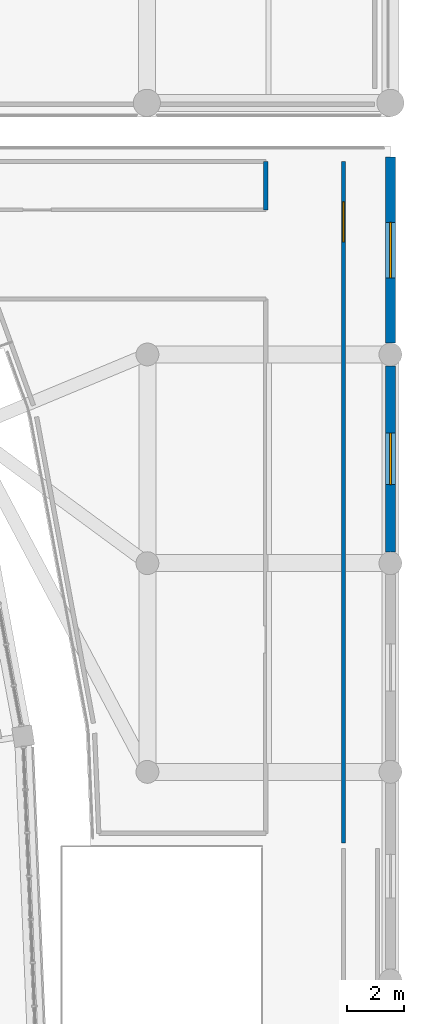
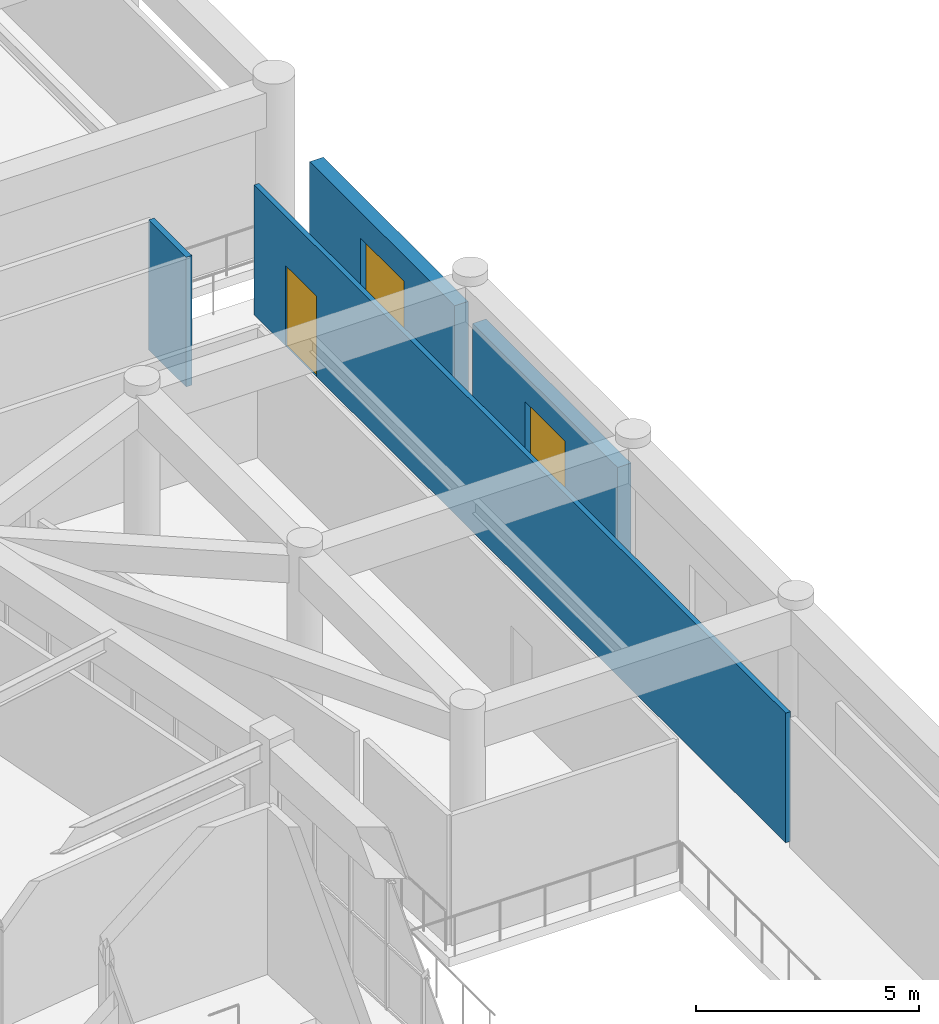
# One storey, part 101 of 137: 4 walls, 2 windows, 1 door, 3 openings.
"""IFC4 building model written with IfcOpenShell, lengths in metres."""

from ifc_helpers import new_model, si_unit, direction, frame, frame_2d, origin, place, context, subcontext, project, spatial, rectangle, extrude, material, layer, layer_set, type_object, element, fill, save


model = new_model("IFC4")

# Units and contexts
model_context = context("Model", 3, precision=1e-05, world=origin(), true_north=direction((0.0, 1.0)))
body_context = subcontext(model_context, "Body", "Model", "MODEL_VIEW")
ifc_project = project(units=[si_unit("LENGTHUNIT", "METRE"), si_unit("AREAUNIT", "SQUARE_METRE"), si_unit("VOLUMEUNIT", "CUBIC_METRE"), si_unit("PLANEANGLEUNIT", "RADIAN"), si_unit("MASSUNIT", "GRAM", prefix="KILO")], contexts=[model_context])

# Site, building, storey
site_placement = place(None, origin())
site = spatial("IfcSite", under=ifc_project, at=site_placement, CompositionType="ELEMENT")
building_placement = place(site_placement, origin())
building = spatial("IfcBuilding", under=site, at=building_placement, Name="Mphavela Belvedere Stadium", CompositionType="ELEMENT")
storey_placement = place(building_placement, frame((0.0, 0.0, 19.199951171875)))
storey = spatial("IfcBuildingStorey", under=building, at=storey_placement, Name="L04", CompositionType="ELEMENT", Elevation=19.199951171875)

# Wall, opening, window
ifc_material_1 = material(Name="Honed ashlar limestone masonry", Category="masonry")
ifc_layer_1 = layer(ifc_material_1, 0.35009765625)
ifc_layer_set_1 = layer_set([ifc_layer_1], Name="Honed ashlar limestone masonry")
wall_type_1 = type_object("IfcWallType", Name="WAL-EXT-ASHLAR-350", PredefinedType="STANDARD", material=ifc_layer_set_1)
wall_1_placement = place(storey_placement, frame((230.0, 115.802001953125, 0.0), z_axis=(0.0, 0.0, 1.0), x_axis=(0.0, -1.0, 0.0)))
wall_1 = element("IfcWall", 1, at=wall_1_placement, inside=storey, type_object=wall_type_1, Name="East Planted Eaves Peristyle Colonnade outer facade bay L04-09", PredefinedType="STANDARD", context=body_context, shape_type="SweptSolid", body=[
    extrude(rectangle(XDim=6.50390625, YDim=0.35009765625, at=frame_2d((3.251953125, 0.0))), origin(), (0.0, 0.0, 1.0), 3.56005859375),
])
opening_1_placement = place(wall_1_placement, frame((2.35205078125, 0.0, 0.89990234375)))
opening_1 = element("IfcOpeningElement", 2, at=opening_1_placement, cuts=wall_1, Name="Opening W-336", PredefinedType="OPENING", context=body_context, shape_type="SweptSolid", body=[
    extrude(rectangle(XDim=1.800048828125, YDim=1.949951171875, at=frame_2d((0.89990234375, 0.97509765625))), frame((0.0, 0.18505859375, 0.0), z_axis=(0.0, -1.0, 0.0), x_axis=(1.0, 0.0, 0.0)), (0.0, 0.0, 1.0), 0.3701171875),
])
ifc_material_2 = material(Name="Bronze-anodised thermally broken aluminium window", Category="aluminium")
window_type_1 = type_object("IfcWindowType", Name="WIN-EXT-28", PartitioningType="SINGLE_PANEL", PredefinedType="WINDOW", material=ifc_material_2)
window_1_placement = place(opening_1_placement, origin())
window_1 = element("IfcWindow", 3, at=window_1_placement, inside=storey, type_object=window_type_1, Name="East Planted Eaves Peristyle Colonnade classical window W-336", OverallHeight=1.949951171875, OverallWidth=1.800048828125, PartitioningType="SINGLE_PANEL", PredefinedType="WINDOW", context=body_context, shape_type="SweptSolid", body=[
    extrude(rectangle(XDim=1.800048828125, YDim=1.949951171875, at=frame_2d((0.89990234375, 0.97509765625))), frame((0.0, 0.030029296875, 0.0), z_axis=(0.0, -1.0, 0.0), x_axis=(1.0, 0.0, 0.0)), (0.0, 0.0, 1.0), 0.06005859375),
])
fill(opening_1, window_1)

wall_2_placement = place(storey_placement, frame((230.0, 123.10205078125, 0.0), z_axis=(0.0, 0.0, 1.0), x_axis=(0.0, -1.0, 0.0)))
wall_2 = element("IfcWall", 4, at=wall_2_placement, inside=storey, type_object=wall_type_1, Name="East Planted Eaves Peristyle Colonnade outer facade bay L04-10", PredefinedType="STANDARD", context=body_context, shape_type="SweptSolid", body=[
    extrude(rectangle(XDim=6.504150390625, YDim=0.35009765625, at=frame_2d((3.251953125, 0.0))), origin(), (0.0, 0.0, 1.0), 3.56005859375),
])
opening_2_placement = place(wall_2_placement, frame((2.281982421875, 0.0, 0.89990234375)))
opening_2 = element("IfcOpeningElement", 5, at=opening_2_placement, cuts=wall_2, Name="Opening W-337", PredefinedType="OPENING", context=body_context, shape_type="SweptSolid", body=[
    extrude(rectangle(XDim=1.93994140625, YDim=1.949951171875, at=frame_2d((0.969970703125, 0.97509765625))), frame((0.0, 0.18505859375, 0.0), z_axis=(0.0, -1.0, 0.0), x_axis=(1.0, 0.0, 0.0)), (0.0, 0.0, 1.0), 0.3701171875),
])
ifc_material_3 = material(Name="Bronze-anodised thermally broken aluminium window", Category="aluminium")
window_type_2 = type_object("IfcWindowType", Name="WIN-EXT-29", PartitioningType="SINGLE_PANEL", PredefinedType="WINDOW", material=ifc_material_3)
window_2_placement = place(opening_2_placement, origin())
window_2 = element("IfcWindow", 6, at=window_2_placement, inside=storey, type_object=window_type_2, Name="East Planted Eaves Peristyle Colonnade classical window W-337", OverallHeight=1.949951171875, OverallWidth=1.93994140625, PartitioningType="SINGLE_PANEL", PredefinedType="WINDOW", context=body_context, shape_type="SweptSolid", body=[
    extrude(rectangle(XDim=1.93994140625, YDim=1.949951171875, at=frame_2d((0.969970703125, 0.97509765625))), frame((0.0, 0.030029296875, 0.0), z_axis=(0.0, -1.0, 0.0), x_axis=(1.0, 0.0, 0.0)), (0.0, 0.0, 1.0), 0.06005859375),
])
fill(opening_2, window_2)

# Wall, opening, door
ifc_material_4 = material(Name="Moisture-resistant sanitary partition assembly")
ifc_layer_2 = layer(ifc_material_4, 0.125)
ifc_layer_set_2 = layer_set([ifc_layer_2], Name="Moisture-resistant sanitary partition assembly")
wall_type_2 = type_object("IfcWallType", Name="WAL-PART-125", PredefinedType="PARTITIONING", material=ifc_layer_set_2)
wall_3_placement = place(storey_placement, frame((228.360107421875, 99.11669921875, 0.0), z_axis=(0.0, 0.0, 1.0), x_axis=(0.0, 1.0, 0.0)))
wall_3 = element("IfcWall", 7, at=wall_3_placement, inside=storey, type_object=wall_type_2, Name="Room L04-141 corridor partition", PredefinedType="PARTITIONING", context=body_context, shape_type="SweptSolid", body=[
    extrude(rectangle(XDim=23.833251953125, YDim=0.125, at=frame_2d((11.91650390625, 0.0))), origin(), (0.0, 0.0, 1.0), 3.550048828125),
])
opening_3_placement = place(wall_3_placement, frame((21.023681640625, 0.0, 0.0)))
opening_3 = element("IfcOpeningElement", 8, at=opening_3_placement, cuts=wall_3, Name="Opening ID-564", PredefinedType="OPENING", context=body_context, shape_type="SweptSolid", body=[
    extrude(rectangle(XDim=1.39990234375, YDim=2.199951171875, at=frame_2d((0.699951171875, 1.10009765625))), frame((0.0, 0.072509765625, 0.0), z_axis=(0.0, -1.0, 0.0), x_axis=(1.0, 0.0, 0.0)), (0.0, 0.0, 1.0), 0.14501953125),
])
ifc_material_5 = material(Name="Hardwood acoustic timber doorset", Category="wood")
door_type = type_object("IfcDoorType", Name="DR-INT-24", OperationType="NOTDEFINED", PredefinedType="DOOR", material=ifc_material_5)
door_placement = place(opening_3_placement, origin())
door = element("IfcDoor", 9, at=door_placement, inside=storey, type_object=door_type, Name="Room L04-141 entrance door ID-564", OperationType="SINGLE_SWING_RIGHT", OverallHeight=2.199951171875, OverallWidth=1.39990234375, PredefinedType="DOOR", context=body_context, shape_type="SweptSolid", body=[
    extrude(rectangle(XDim=1.39990234375, YDim=2.199951171875, at=frame_2d((0.699951171875, 1.10009765625))), frame((0.0, 0.02490234375, 0.0), z_axis=(0.0, -1.0, 0.0), x_axis=(1.0, 0.0, 0.0)), (0.0, 0.0, 1.0), 0.050048828125),
])
fill(opening_3, door)

# Wall
ifc_material_6 = material(Name="Acoustic gypsum stud partition assembly")
ifc_layer_3 = layer(ifc_material_6, 0.14990234375)
ifc_layer_set_3 = layer_set([ifc_layer_3], Name="Acoustic gypsum stud partition assembly")
wall_type_3 = type_object("IfcWallType", Name="WAL-PART-150", PredefinedType="PARTITIONING", material=ifc_layer_set_3)
wall_4_placement = place(storey_placement, frame((225.639892578125, 122.949951171875, 0.0), z_axis=(0.0, 0.0, 1.0), x_axis=(0.0, -1.0, 0.0)))
element("IfcWall", 10, at=wall_4_placement, inside=storey, type_object=wall_type_3, Name="Room divider partition L04-1301", PredefinedType="PARTITIONING", context=body_context, shape_type="SweptSolid", body=[
    extrude(rectangle(XDim=1.68994140625, YDim=0.14990234375, at=frame_2d((0.844970703125, 0.0))), origin(), (0.0, 0.0, 1.0), 3.550048828125),
])

save(model, "model.ifc")
